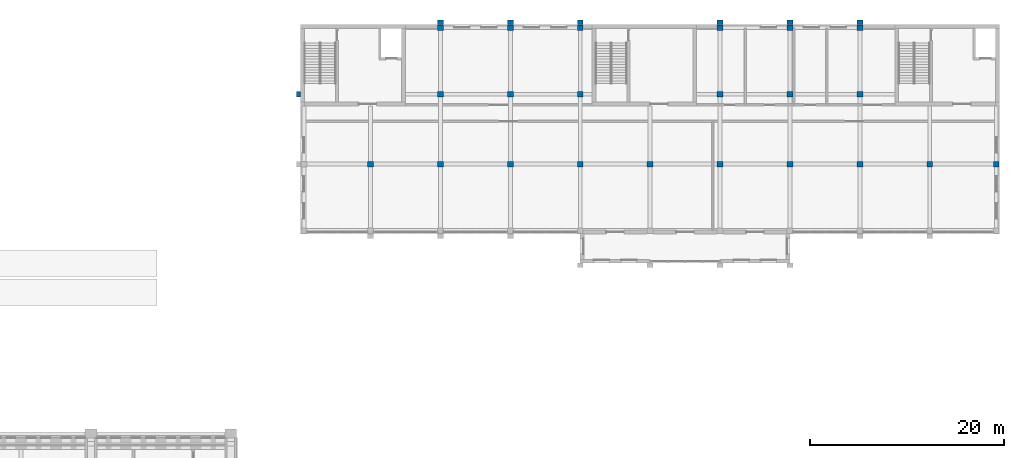
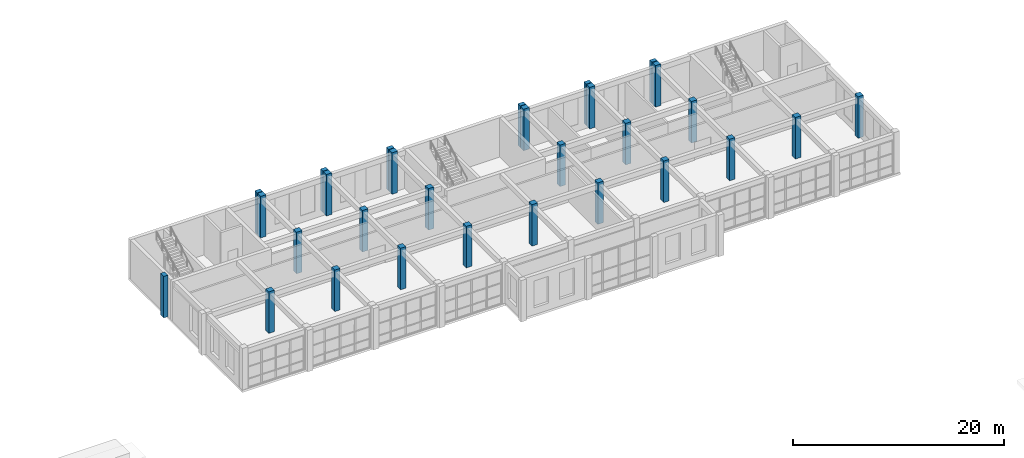
# One storey, part 4 of 149: 29 columns.
"""IFC4 building model written with IfcOpenShell, lengths in metres."""

import ifcopenshell
import ifcopenshell.guid

model = None  # the IFC model being written
_history = None  # IfcOwnerHistory: only IFC2X3 demands one
_inside = {}  # id of a spatial element -> (the spatial element, [elements in it])
_under = {}  # id of a project, library or spatial element -> (it, [spatial elements below it])
_declared = {}  # id of a project -> (the project, [libraries it declares])
_typed = {}  # id of a type object -> (the type object, [elements of that type])
_made_of = {}  # id of a material, layer set ... -> (it, [elements and type objects made of it])


def new_model(schema):
    """Start an empty IFC model of exactly this schema.

    Asked for "IFC4X3", IfcOpenShell would pick the latest addendum, in which some entities
    have other attributes; the version numbers below select the first issue.
    IFC2X3 requires an IfcOwnerHistory on every rooted entity: one is made here for all.
    """
    global model, _history
    if schema == "IFC4X3":
        model = ifcopenshell.file(schema_version=(4, 3, 0, 0))
    else:
        model = ifcopenshell.file(schema=schema)
    _inside.clear()
    _under.clear()
    _declared.clear()
    _typed.clear()
    _made_of.clear()
    _history = None
    if model.schema == "IFC2X3":
        org = make("IfcOrganization", Name="unknown")
        user = make(
            "IfcPersonAndOrganization",
            ThePerson=make("IfcPerson", FamilyName="unknown"),
            TheOrganization=org,
        )
        app = make(
            "IfcApplication",
            ApplicationDeveloper=org,
            Version="unknown",
            ApplicationFullName="unknown",
            ApplicationIdentifier="unknown",
        )
        _history = make(
            "IfcOwnerHistory",
            OwningUser=user,
            OwningApplication=app,
            ChangeAction="ADDED",
            CreationDate=0,
        )
    return model


def make(cls, **values):
    """One entity of the class cls with the attributes given. An attribute that is None is left unset."""
    return model.create_entity(
        cls, **{name: value for name, value in values.items() if value is not None}
    )


def rooted(cls, **values):
    """An entity with a GlobalId (a new one), such as an element, a storey or a relation."""
    return make(cls, GlobalId=ifcopenshell.guid.new(), OwnerHistory=_history, **values)


def si_unit(unit_type, name, prefix=None):
    """IfcSIUnit, for example si_unit("LENGTHUNIT", "METRE", prefix="MILLI")."""
    return make("IfcSIUnit", UnitType=unit_type, Prefix=prefix, Name=name)


def assignment(units):
    """IfcUnitAssignment: the units of a project."""
    return None if units is None else make("IfcUnitAssignment", Units=units)


def point(xyz):
    """IfcCartesianPoint."""
    return None if xyz is None else make("IfcCartesianPoint", Coordinates=xyz)


def direction(xyz):
    """IfcDirection."""
    return None if xyz is None else make("IfcDirection", DirectionRatios=xyz)


def frame(location, z_axis=None, x_axis=None):
    """IfcAxis2Placement3D, a coordinate frame: its origin and axes. An axis left out is left unset."""
    return make(
        "IfcAxis2Placement3D",
        Location=point(location),
        Axis=direction(z_axis),
        RefDirection=direction(x_axis),
    )


def frame_2d(location, x_axis=None):
    """IfcAxis2Placement2D, a coordinate frame in the plane: its origin and x axis."""
    return make(
        "IfcAxis2Placement2D", Location=point(location), RefDirection=direction(x_axis)
    )


def origin():
    """The frame at (0, 0, 0) with its axes left unset."""
    return frame((0.0, 0.0, 0.0))


def origin_2d():
    """The frame at (0, 0) in the plane with its x axis left unset."""
    return frame_2d((0.0, 0.0))


def place(relative_to, where):
    """IfcLocalPlacement: puts the frame where relative to a parent placement (None: the world)."""
    return make(
        "IfcLocalPlacement", PlacementRelTo=relative_to, RelativePlacement=where
    )


def context(
    kind, dimensions, precision=None, world=None, true_north=None, identifier=None
):
    """IfcGeometricRepresentationContext, for example the 3D "Model" context."""
    return make(
        "IfcGeometricRepresentationContext",
        ContextIdentifier=identifier,
        ContextType=kind,
        CoordinateSpaceDimension=dimensions,
        Precision=precision,
        WorldCoordinateSystem=world,
        TrueNorth=true_north,
    )


def subcontext(parent, identifier, kind, view, scale=None):
    """IfcGeometricRepresentationSubContext, for example "Body" below "Model"."""
    return make(
        "IfcGeometricRepresentationSubContext",
        ContextIdentifier=identifier,
        ContextType=kind,
        ParentContext=parent,
        TargetScale=scale,
        TargetView=view,
    )


def project(units=None, contexts=None):
    """IfcProject with its units and contexts."""
    return rooted(
        "IfcProject",
        Name="project",
        RepresentationContexts=contexts,
        UnitsInContext=assignment(units),
    )


def spatial(cls, under=None, at=None, **own):
    """A site, building, storey or space (cls), placed at a placement, below another one or the project."""
    s = rooted(cls, ObjectPlacement=at, **own)
    if under is not None:
        _under.setdefault(under.id(), (under, []))[1].append(s)
    return s


def profile(cls, at=None, kind="AREA", **sizes):
    """A parametric profile (cls). Its sizes go by their IFC names, for example OverallWidth=200.0."""
    return make(cls, ProfileType=kind, Position=at, **sizes)


def rectangle(**sizes):
    """IfcRectangleProfileDef."""
    return profile("IfcRectangleProfileDef", **sizes)


def extrude(swept, where, along, depth):
    """IfcExtrudedAreaSolid: the profile swept, set in the frame where, extruded along a direction by depth."""
    return make(
        "IfcExtrudedAreaSolid",
        SweptArea=swept,
        Position=where,
        ExtrudedDirection=direction(along),
        Depth=depth,
    )


def shape(context_of_items, identifier, shape_type, items):
    """IfcShapeRepresentation: the items that make up one representation, for example the "Body"."""
    return make(
        "IfcShapeRepresentation",
        ContextOfItems=context_of_items,
        RepresentationIdentifier=identifier,
        RepresentationType=shape_type,
        Items=items,
    )


def material(Name=None, Category=None):
    """IfcMaterial."""
    return make("IfcMaterial", Name=Name, Category=Category)


def material_profile(
    of_material, cross_section, Name=None, Category=None, Priority=None
):
    """IfcMaterialProfile: a cross section and its material."""
    return make(
        "IfcMaterialProfile",
        Name=Name,
        Material=of_material,
        Profile=cross_section,
        Priority=Priority,
        Category=Category,
    )


def profile_set(profiles, Name=None, composite=None):
    """IfcMaterialProfileSet."""
    return make(
        "IfcMaterialProfileSet",
        Name=Name,
        MaterialProfiles=profiles,
        CompositeProfile=composite,
    )


def made_of(thing, what):
    """Note that an element or type object is made of a material, layer set ...; save() writes the relation."""
    if what is not None:
        _made_of.setdefault(what.id(), (what, []))[1].append(thing)
    return thing


def type_object(cls, material=None, **own):
    """A type object (cls), such as IfcWallType, which elements share."""
    return made_of(rooted(cls, **own), material)


def element(
    cls,
    number,
    at=None,
    inside=None,
    cuts=None,
    type_object=None,
    material=None,
    context=None,
    identifier="Body",
    shape_type=None,
    held_by="IfcProductDefinitionShape",
    body=None,
    shapes=None,
    **own,
):
    """One element of the class cls, such as IfcWall. Its Tag is "e" and its number.

    at: its placement. inside: the storey or other place that contains it. cuts: it is an
    opening in that element (IfcRelVoidsElement). A single representation is given by context,
    identifier, shape_type and body (its items); several are given by shapes. held_by: the class
    of the entity that holds the representations. save() writes the other relations.
    """
    e = rooted(cls, Tag="e%d" % number, ObjectPlacement=at, **own)
    if body is not None:
        shapes = [shape(context, identifier, shape_type, body)]
    if shapes is not None:
        e.Representation = make(held_by, Representations=shapes)
    if inside is not None:
        _inside.setdefault(inside.id(), (inside, []))[1].append(e)
    if cuts is not None:
        rooted(
            "IfcRelVoidsElement", RelatingBuildingElement=cuts, RelatedOpeningElement=e
        )
    if type_object is not None:
        _typed.setdefault(type_object.id(), (type_object, []))[1].append(e)
    return made_of(e, material)


def aggregate(whole, parts):
    """IfcRelAggregates: a whole, such as a stair, and the parts it consists of."""
    return rooted("IfcRelAggregates", RelatingObject=whole, RelatedObjects=parts)


def save(model, path):
    """Write the relations noted so far, then the file.

    IfcRelAggregates (storeys below a building ...), IfcRelContainedInSpatialStructure (elements
    in a storey), IfcRelDefinesByType, IfcRelAssociatesMaterial and IfcRelDeclares: one each for
    every whole, place, type object, material and project.
    """
    for whole, parts in _under.values():
        aggregate(whole, parts)
    for where, things in _inside.values():
        rooted(
            "IfcRelContainedInSpatialStructure",
            RelatedElements=things,
            RelatingStructure=where,
        )
    for kind, things in _typed.values():
        rooted("IfcRelDefinesByType", RelatedObjects=things, RelatingType=kind)
    for what, things in _made_of.values():
        rooted("IfcRelAssociatesMaterial", RelatedObjects=things, RelatingMaterial=what)
    for by, libraries in _declared.values():
        rooted("IfcRelDeclares", RelatingContext=by, RelatedDefinitions=libraries)
    model.write(path)


model = new_model("IFC4")

# Units and contexts
model_context = context("Model", 3, precision=1e-05, world=origin(), true_north=direction((0.0, 1.0)))
body_context = subcontext(model_context, "Body", "Model", "MODEL_VIEW")
ifc_project = project(units=[si_unit("LENGTHUNIT", "METRE"), si_unit("AREAUNIT", "SQUARE_METRE"), si_unit("VOLUMEUNIT", "CUBIC_METRE"), si_unit("PLANEANGLEUNIT", "RADIAN"), si_unit("MASSUNIT", "GRAM", prefix="KILO")], contexts=[model_context])

# Site, building, storey
site_placement = place(None, origin())
site = spatial("IfcSite", under=ifc_project, at=site_placement, CompositionType="ELEMENT")
building_placement = place(site_placement, origin())
building = spatial("IfcBuilding", under=site, at=building_placement, Name="Alderwick Market Hall", CompositionType="ELEMENT")
storey_placement = place(building_placement, frame((0.0, 0.0, 9.60009765625)))
storey = spatial("IfcBuildingStorey", under=building, at=storey_placement, Name="L01", CompositionType="ELEMENT", Elevation=9.60009765625)

# Columns
ifc_material = material(Name="Concrete 5000 psi (f'c 35 MPa)", Category="concrete")
ifc_material_profile_1 = material_profile(ifc_material, rectangle(XDim=0.60009765625, YDim=0.60009765625, at=origin_2d()), Name="RC 600x600")
ifc_profile_set_1 = profile_set([ifc_material_profile_1], Name="Concrete 5000 psi (f'c 35 MPa)")
column_type_1 = type_object("IfcColumnType", Name="F Column RC 600x600", PredefinedType="COLUMN", material=ifc_profile_set_1)
for number, where, z_axis, x_axis, name in (
    (1, (165.60009765625, 136.800048828125, 0.0), (0.0, 0.0, 1.0), (1.0, 0.0, 0.0), "F.col.L01.13"),
    (2, (172.800048828125, 136.800048828125, 0.0), (0.0, 0.0, 1.0), (1.0, 0.0, 0.0), "F.col.L01.14"),
    (3, (180.0, 136.800048828125, 0.0), (0.0, 0.0, 1.0), (1.0, 0.0, 0.0), "F.col.L01.15"),
    (4, (187.199951171875, 136.800048828125, 0.0), (0.0, 0.0, 1.0), (1.0, 0.0, 0.0), "F.col.L01.16"),
    (5, (194.39990234375, 136.800048828125, 0.0), (0.0, 0.0, 1.0), (1.0, 0.0, 0.0), "F.col.L01.17"),
    (6, (201.60009765625, 136.800048828125, 0.0), (0.0, 0.0, 1.0), (1.0, 0.0, 0.0), "F.col.L01.18"),
    (7, (208.800048828125, 136.800048828125, 0.0), (0.0, 0.0, 1.0), (1.0, 0.0, 0.0), "F.col.L01.19"),
    (8, (216.0, 136.800048828125, 0.0), (0.0, 0.0, 1.0), (1.0, 0.0, 0.0), "F.col.L01.20"),
    (9, (223.199951171875, 136.800048828125, 0.0), (0.0, 0.0, 1.0), (1.0, 0.0, 0.0), "F.col.L01.21"),
    (10, (230.050048828125, 136.800048828125, 0.0), (0.0, 0.0, 1.0), (1.0, 0.0, 0.0), "F.col.L01.22"),
    (11, (172.800048828125, 144.0, 0.0), (0.0, 0.0, 1.0), (1.0, 0.0, 0.0), "F.col.L01.23"),
    (12, (180.0, 144.0, 0.0), (0.0, 0.0, 1.0), (1.0, 0.0, 0.0), "F.col.L01.24"),
    (13, (187.199951171875, 144.0, 0.0), (0.0, 0.0, 1.0), (1.0, 0.0, 0.0), "F.col.L01.25"),
    (14, (201.60009765625, 144.0, 0.0), (0.0, 0.0, 1.0), (1.0, 0.0, 0.0), "F.col.L01.26"),
    (15, (208.800048828125, 144.0, 0.0), (0.0, 0.0, 1.0), (1.0, 0.0, 0.0), "F.col.L01.27"),
    (16, (216.0, 144.0, 0.0), (0.0, 0.0, 1.0), (1.0, 0.0, 0.0), "F.col.L01.28"),
    (17, (172.800048828125, 150.85009765625, 0.0), (0.0, 0.0, 1.0), (1.0, 0.0, 0.0), "F.col.L01.29"),
    (18, (180.0, 150.85009765625, 0.0), (0.0, 0.0, 1.0), (1.0, 0.0, 0.0), "F.col.L01.30"),
    (19, (187.199951171875, 150.85009765625, 0.0), (0.0, 0.0, 1.0), (1.0, 0.0, 0.0), "F.col.L01.31"),
    (20, (201.60009765625, 150.85009765625, 0.0), (0.0, 0.0, 1.0), (1.0, 0.0, 0.0), "F.col.L01.32"),
    (21, (208.800048828125, 150.85009765625, 0.0), (0.0, 0.0, 1.0), (1.0, 0.0, 0.0), "F.col.L01.33"),
    (22, (216.0, 150.85009765625, 0.0), (0.0, 0.0, 1.0), (1.0, 0.0, 0.0), "F.col.L01.34"),
):
    element("IfcColumn", number, at=place(storey_placement, frame(where, z_axis=z_axis, x_axis=x_axis)), inside=storey, type_object=column_type_1, Name=name, PredefinedType="COLUMN", context=body_context, shape_type="SweptSolid", body=[
        extrude(rectangle(XDim=0.60009765625, YDim=0.60009765625, at=origin_2d()), origin(), (0.0, 0.0, 1.0), 4.7998046875),
    ])
ifc_material_profile_2 = material_profile(ifc_material, rectangle(XDim=0.60009765625, YDim=0.449951171875, at=origin_2d()), Name="PC 600x450")
ifc_profile_set_2 = profile_set([ifc_material_profile_2], Name="Concrete 5000 psi (f'c 35 MPa)")
column_type_2 = type_object("IfcColumnType", Name="F Pilaster Precast Concrete 600x450", PredefinedType="PILASTER", material=ifc_profile_set_2)
for number, where, z_axis, x_axis, name in (
    (23, (172.800048828125, 151.425048828125, 0.0), (0.0, 0.0, 1.0), (1.0, 0.0, 0.0), "F.pilaster.L01.022"),
    (24, (180.0, 151.425048828125, 0.0), (0.0, 0.0, 1.0), (1.0, 0.0, 0.0), "F.pilaster.L01.025"),
    (25, (187.199951171875, 151.425048828125, 0.0), (0.0, 0.0, 1.0), (1.0, 0.0, 0.0), "F.pilaster.L01.028"),
    (26, (201.60009765625, 151.425048828125, 0.0), (0.0, 0.0, 1.0), (1.0, 0.0, 0.0), "F.pilaster.L01.031"),
    (27, (208.800048828125, 151.425048828125, 0.0), (0.0, 0.0, 1.0), (1.0, 0.0, 0.0), "F.pilaster.L01.034"),
    (28, (216.0, 151.425048828125, 0.0), (0.0, 0.0, 1.0), (1.0, 0.0, 0.0), "F.pilaster.L01.037"),
    (29, (158.175048828125, 144.0, 0.0), (0.0, 0.0, 1.0), (0.0, 1.0, 0.0), "F.pilaster.L01.043"),
):
    element("IfcColumn", number, at=place(storey_placement, frame(where, z_axis=z_axis, x_axis=x_axis)), inside=storey, type_object=column_type_2, Name=name, PredefinedType="PILASTER", context=body_context, shape_type="SweptSolid", body=[
        extrude(rectangle(XDim=0.60009765625, YDim=0.449951171875, at=origin_2d()), origin(), (0.0, 0.0, 1.0), 4.7998046875),
    ])

save(model, "model.ifc")
